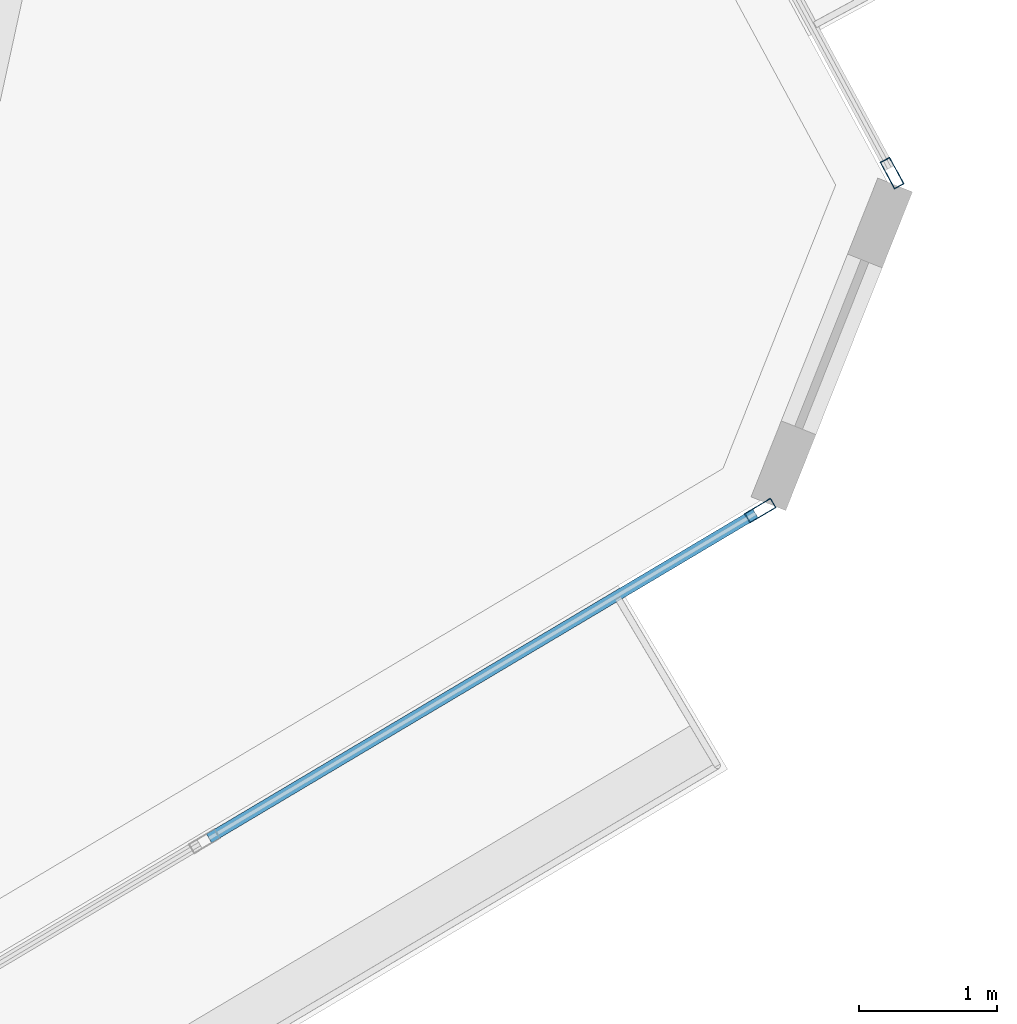
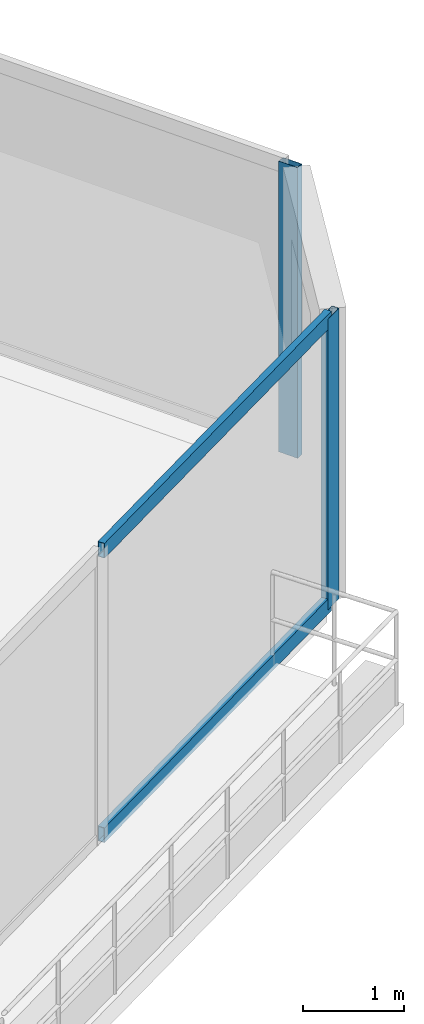
# One storey, part 10 of 23: 4 members, 2 elements without a shape of their own.
"""IFC4 building model written with IfcOpenShell, lengths in metres."""

from ifc_helpers import new_model, si_unit, direction, frame, origin, origin_2d, place, context, subcontext, project, spatial, hollow_rectangle, extrude, source, transform, mapped, material, layer, layer_set, material_profile, profile_set, type_object, type_shapes, element, aggregate, save


model = new_model("IFC4")

# Units and contexts
model_context = context("Model", 3, precision=1e-05, world=origin(), true_north=direction((0.0, 1.0)))
body_context = subcontext(model_context, "Body", "Model", "MODEL_VIEW")
ifc_project = project(units=[si_unit("LENGTHUNIT", "METRE"), si_unit("AREAUNIT", "SQUARE_METRE"), si_unit("VOLUMEUNIT", "CUBIC_METRE"), si_unit("PLANEANGLEUNIT", "RADIAN"), si_unit("MASSUNIT", "GRAM", prefix="KILO")], contexts=[model_context])

# Site, building, storey
site_placement = place(None, origin())
site = spatial("IfcSite", under=ifc_project, at=site_placement, CompositionType="ELEMENT")
building_placement = place(site_placement, origin())
building = spatial("IfcBuilding", under=site, at=building_placement, Name="Talar Marvaseh", CompositionType="ELEMENT")
storey_placement = place(building_placement, frame((0.0, 0.0, 50.60009765625)))
storey = spatial("IfcBuildingStorey", under=building, at=storey_placement, Name="L12", CompositionType="ELEMENT", Elevation=50.60009765625)

# Curtain wall, member
ifc_material = material(Name="Architectural Aluminium", Category="aluminium")
ifc_layer = layer(ifc_material, 0.219970703125)
ifc_layer_set = layer_set([ifc_layer], Name="Architectural Aluminium")
curtain_wall_type = type_object("IfcCurtainWallType", Name="Unitised Low-E Museum Curtain Wall Z1", PredefinedType="NOTDEFINED", material=ifc_layer_set)
curtain_wall_1_placement = place(storey_placement, origin())
curtain_wall_1 = element("IfcCurtainWall", 1, at=curtain_wall_1_placement, inside=storey, type_object=curtain_wall_type, Name="L12 Unitised Low-E Museum Curtain Wall Z1", PredefinedType="NOTDEFINED")
ifc_material_profile_1 = material_profile(ifc_material, hollow_rectangle(XDim=0.080078125, YDim=0.219970703125, WallThickness=0.0048828125, at=origin_2d()), Name="RHS220x80x5")
ifc_profile_set_1 = profile_set([ifc_material_profile_1], Name="Architectural Aluminium")
member_type_1 = type_object("IfcMemberType", Name="Unitised Curtain Wall Heavy Mullion RHS220x80x5", PredefinedType="MULLION", material=ifc_profile_set_1)
shared_shape_1 = source(origin(), body_context, "Body", "SweptSolid", [
    extrude(hollow_rectangle(XDim=0.080078125, YDim=0.219970703125, WallThickness=0.0048828125, at=origin_2d()), origin(), (0.0, 0.0, 1.0), 3.52001953125),
])
type_shapes(member_type_1, [shared_shape_1])
member_1_placement = place(storey_placement, frame((52.226806640625, 24.94580078125, 0.0), z_axis=(0.0, 0.0, 1.0), x_axis=(0.879620132192, 0.475676805238, 0.0)))
member_1 = element("IfcMember", 2, at=member_1_placement, type_object=member_type_1, Name="CW-Z1 mullion 3", PredefinedType="MULLION", context=body_context, shape_type="MappedRepresentation", body=[
    mapped(shared_shape_1, transform((0.0, 0.0, 0.0), x_axis=(1.0, 0.0, 0.0), y_axis=(0.0, 1.0, 0.0), z_axis=(0.0, 0.0, 1.0), scale=1.0)),
])
aggregate(curtain_wall_1, [member_1])

# Curtain wall, members
curtain_wall_2_placement = place(storey_placement, origin())
curtain_wall_2 = element("IfcCurtainWall", 3, at=curtain_wall_2_placement, inside=storey, type_object=curtain_wall_type, Name="L12 Unitised Low-E Museum Curtain Wall Z1", PredefinedType="NOTDEFINED")
member_2_placement = place(storey_placement, frame((51.27197265625, 22.501708984375, 0.0), z_axis=(0.0, 0.0, 1.0), x_axis=(0.511154851955, -0.859488637111, 0.0)))
member_2 = element("IfcMember", 4, at=member_2_placement, type_object=member_type_1, Name="CW-Z1 mullion 1", PredefinedType="MULLION", context=body_context, shape_type="MappedRepresentation", body=[
    mapped(shared_shape_1, transform((0.0, 0.0, 0.0), x_axis=(1.0, 0.0, 0.0), y_axis=(0.0, 1.0, 0.0), z_axis=(0.0, 0.0, 1.0), scale=1.0)),
])
ifc_material_profile_2 = material_profile(ifc_material, hollow_rectangle(XDim=0.074951171875, YDim=0.179931640625, WallThickness=0.0048828125, at=origin_2d()), Name="RHS180x75x5")
ifc_profile_set_2 = profile_set([ifc_material_profile_2], Name="Architectural Aluminium")
member_type_2 = type_object("IfcMemberType", Name="Unitised Curtain Wall Transom RHS180x75x5", PredefinedType="USERDEFINED", material=ifc_profile_set_2)
shared_shape_2 = source(origin(), body_context, "Body", "SweptSolid", [
    extrude(hollow_rectangle(XDim=0.074951171875, YDim=0.179931640625, WallThickness=0.0048828125, at=origin_2d()), origin(), (0.0, 0.0, 1.0), 4.604248046875),
])
type_shapes(member_type_2, [shared_shape_2])
member_3_placement = place(storey_placement, frame((51.237548828125, 22.481201171875, 0.037353515625), z_axis=(-0.859484260686, -0.511162210686, 0.0), x_axis=(0.511162210686, -0.859484260686, 0.0)))
member_3 = element("IfcMember", 5, at=member_3_placement, type_object=member_type_2, Name="CW-Z1 transom 1.1", ObjectType="TRANSOM", PredefinedType="USERDEFINED", context=body_context, shape_type="MappedRepresentation", body=[
    mapped(shared_shape_2, transform((0.0, 0.0, 0.0), x_axis=(1.0, 0.0, 0.0), y_axis=(0.0, 1.0, 0.0), z_axis=(0.0, 0.0, 1.0), scale=1.0)),
])
member_4_placement = place(storey_placement, frame((51.237548828125, 22.481201171875, 3.482421875), z_axis=(-0.859484260686, -0.511162210686, 0.0), x_axis=(0.511162210686, -0.859484260686, 0.0)))
member_4 = element("IfcMember", 6, at=member_4_placement, type_object=member_type_2, Name="CW-Z1 transom 1.2", ObjectType="TRANSOM", PredefinedType="USERDEFINED", context=body_context, shape_type="MappedRepresentation", body=[
    mapped(shared_shape_2, transform((0.0, 0.0, 0.0), x_axis=(1.0, 0.0, 0.0), y_axis=(0.0, 1.0, 0.0), z_axis=(0.0, 0.0, 1.0), scale=1.0)),
])
aggregate(curtain_wall_2, [member_2, member_3, member_4])

save(model, "model.ifc")
